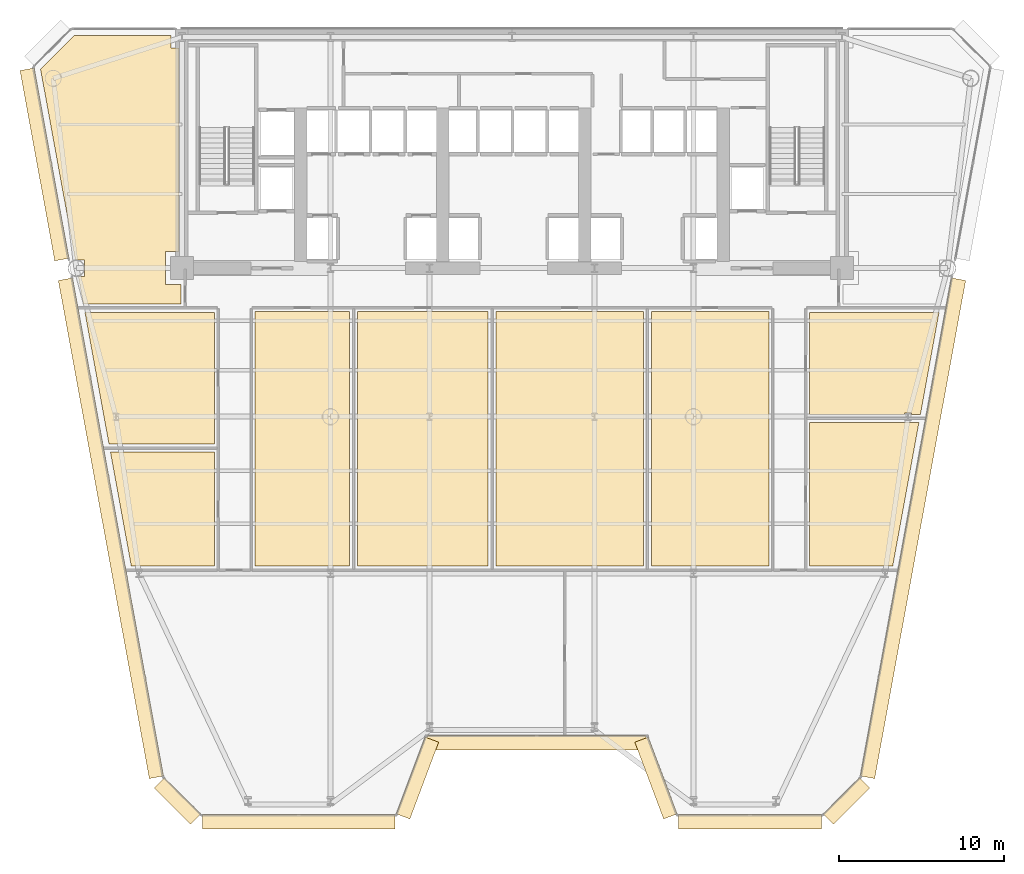
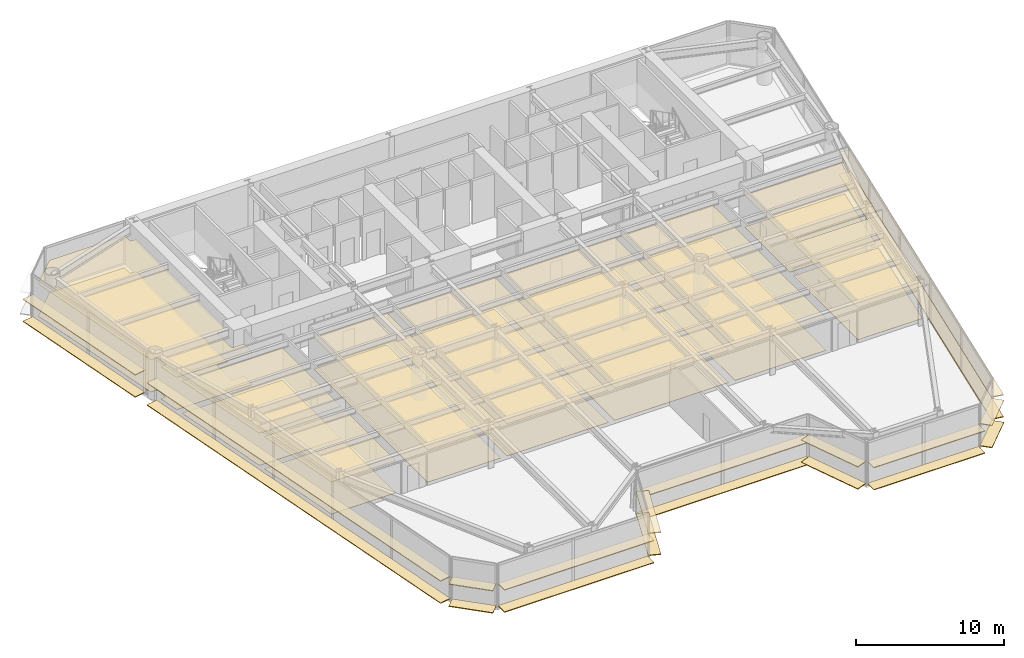
# One storey, part 11 of 14: 38 coverings.
"""IFC4 building model written with IfcOpenShell, lengths in metres."""

from ifc_helpers import new_model, si_unit, direction, frame, origin, origin_2d, place, context, subcontext, project, spatial, polyline, rectangle, outline, extrude, source, transform, mapped, material, layer, layer_set, type_object, element, save


model = new_model("IFC4")

# Units and contexts
model_context = context("Model", 3, precision=1e-05, world=origin(), true_north=direction((0.0, 1.0)))
body_context = subcontext(model_context, "Body", "Model", "MODEL_VIEW")
ifc_project = project(units=[si_unit("LENGTHUNIT", "METRE"), si_unit("AREAUNIT", "SQUARE_METRE"), si_unit("VOLUMEUNIT", "CUBIC_METRE"), si_unit("PLANEANGLEUNIT", "RADIAN"), si_unit("MASSUNIT", "GRAM", prefix="KILO")], contexts=[model_context])

# Site, building, storey
site_placement = place(None, origin())
site = spatial("IfcSite", under=ifc_project, at=site_placement, CompositionType="ELEMENT")
building_placement = place(site_placement, origin())
building = spatial("IfcBuilding", under=site, at=building_placement, Name="Vaeldorn Concourse Tower", CompositionType="ELEMENT")
storey_placement = place(building_placement, frame((0.0, 0.0, 92.0)))
storey = spatial("IfcBuildingStorey", under=building, at=storey_placement, Name="L23", CompositionType="ELEMENT", Elevation=92.0)

# Coverings
ifc_material_1 = material(Name="Acoustic Mineral Fibre Board", Category="gypsum")
ifc_layer_1 = layer(ifc_material_1, 0.0400390625)
ifc_layer_set_1 = layer_set([ifc_layer_1], Name="Acoustic Mineral Fibre Board")
covering_type_1 = type_object("IfcCoveringType", Name="COV-CEIL-ACOUSTIC", PredefinedType="CEILING", material=ifc_layer_set_1)
covering_1_placement = place(storey_placement, frame((0.0, 0.0, 2.64990234375)))
element("IfcCovering", 1, at=covering_1_placement, inside=storey, type_object=covering_type_1, Name="Suspended Acoustic Ceiling L23-3", PredefinedType="CEILING", context=body_context, shape_type="SweptSolid", body=[
    extrude(outline(polyline([(7.4658203125, 50.60009765625), (13.340087890625, 50.60009765625), (13.340087890625, 49.840087890625), (13.820068359375, 49.840087890625), (13.820068359375, 37.5), (13.0, 37.5), (13.0, 35.5), (13.93994140625, 35.5), (13.93994140625, 34.340087890625), (8.029296875, 34.340087890625), (7.7275390625, 35.991943359375), (8.10791015625, 35.991943359375), (8.10791015625, 37.008056640625), (7.5419921875, 37.008056640625), (5.43115234375, 48.5654296875), (7.4658203125, 50.60009765625)])), origin(), (0.0, 0.0, 1.0), 0.0400390625),
])
covering_2_placement = place(storey_placement, frame((0.0, 0.0, 2.64990234375)))
element("IfcCovering", 2, at=covering_2_placement, inside=storey, type_object=covering_type_1, Name="Suspended Acoustic Ceiling L23-5", PredefinedType="CEILING", context=body_context, shape_type="SweptSolid", body=[
    extrude(outline(polyline([(15.9599609375, 25.360107421875), (15.9599609375, 18.43994140625), (10.93310546875, 18.43994140625), (9.669189453125, 25.360107421875), (15.9599609375, 25.360107421875)])), origin(), (0.0, 0.0, 1.0), 0.0400390625),
])
covering_3_placement = place(storey_placement, frame((0.0, 0.0, 2.64990234375)))
element("IfcCovering", 3, at=covering_3_placement, inside=storey, type_object=covering_type_1, Name="Suspended Acoustic Ceiling L23-6", PredefinedType="CEILING", context=body_context, shape_type="SweptSolid", body=[
    extrude(outline(polyline([(15.9599609375, 33.800048828125), (15.9599609375, 25.840087890625), (9.58154296875, 25.840087890625), (8.127685546875, 33.800048828125), (15.9599609375, 33.800048828125)])), origin(), (0.0, 0.0, 1.0), 0.0400390625),
])
covering_4_placement = place(storey_placement, frame((0.0, 0.0, 2.64990234375)))
element("IfcCovering", 4, at=covering_4_placement, inside=storey, type_object=covering_type_1, Name="Suspended Acoustic Ceiling L23-7", PredefinedType="CEILING", context=body_context, shape_type="SweptSolid", body=[
    extrude(outline(polyline([(52.0400390625, 27.159912109375), (58.659423828125, 27.159912109375), (57.06689453125, 18.43994140625), (52.0400390625, 18.43994140625), (52.0400390625, 27.159912109375)])), origin(), (0.0, 0.0, 1.0), 0.0400390625),
])
covering_5_placement = place(storey_placement, frame((0.0, 0.0, 2.64990234375)))
element("IfcCovering", 5, at=covering_5_placement, inside=storey, type_object=covering_type_1, Name="Suspended Acoustic Ceiling L23-8", PredefinedType="CEILING", context=body_context, shape_type="SweptSolid", body=[
    extrude(outline(polyline([(52.0400390625, 33.800048828125), (59.872314453125, 33.800048828125), (58.747314453125, 27.639892578125), (58.2119140625, 27.639892578125), (58.2119140625, 27.737060546875), (57.7880859375, 27.737060546875), (57.7880859375, 27.639892578125), (52.0400390625, 27.639892578125), (52.0400390625, 33.800048828125)])), origin(), (0.0, 0.0, 1.0), 0.0400390625),
])
covering_6_placement = place(storey_placement, frame((0.0, 0.0, 2.64990234375)))
element("IfcCovering", 6, at=covering_6_placement, inside=storey, type_object=covering_type_1, Name="Suspended Acoustic Ceiling L23-9", PredefinedType="CEILING", context=body_context, shape_type="SweptSolid", body=[
    extrude(outline(polyline([(18.43994140625, 33.860107421875), (24.159912109375, 33.860107421875), (24.159912109375, 18.43994140625), (18.43994140625, 18.43994140625), (18.43994140625, 33.860107421875)])), origin(), (0.0, 0.0, 1.0), 0.0400390625),
])
covering_7_placement = place(storey_placement, frame((0.0, 0.0, 2.64990234375)))
element("IfcCovering", 7, at=covering_7_placement, inside=storey, type_object=covering_type_1, Name="Suspended Acoustic Ceiling L23-10", PredefinedType="CEILING", context=body_context, shape_type="SweptSolid", body=[
    extrude(outline(polyline([(24.639892578125, 33.860107421875), (32.56005859375, 33.860107421875), (32.56005859375, 18.43994140625), (24.639892578125, 18.43994140625), (24.639892578125, 33.860107421875)])), origin(), (0.0, 0.0, 1.0), 0.0400390625),
])
covering_8_placement = place(storey_placement, frame((0.0, 0.0, 2.64990234375)))
element("IfcCovering", 8, at=covering_8_placement, inside=storey, type_object=covering_type_1, Name="Suspended Acoustic Ceiling L23-11", PredefinedType="CEILING", context=body_context, shape_type="SweptSolid", body=[
    extrude(outline(polyline([(33.0400390625, 33.860107421875), (41.9599609375, 33.860107421875), (41.9599609375, 18.43994140625), (33.0400390625, 18.43994140625), (33.0400390625, 33.860107421875)])), origin(), (0.0, 0.0, 1.0), 0.0400390625),
])
covering_9_placement = place(storey_placement, frame((0.0, 0.0, 2.64990234375)))
element("IfcCovering", 9, at=covering_9_placement, inside=storey, type_object=covering_type_1, Name="Suspended Acoustic Ceiling L23-12", PredefinedType="CEILING", context=body_context, shape_type="SweptSolid", body=[
    extrude(outline(polyline([(42.43994140625, 33.860107421875), (49.56005859375, 33.860107421875), (49.56005859375, 18.43994140625), (42.43994140625, 18.43994140625), (42.43994140625, 33.860107421875)])), origin(), (0.0, 0.0, 1.0), 0.0400390625),
])
ifc_material_2 = material(Name="Honed Limestone Terrazzo Flooring", Category="masonry")
ifc_layer_2 = layer(ifc_material_2, 0.0400390625)
ifc_layer_set_2 = layer_set([ifc_layer_2], Name="Honed Limestone Terrazzo Flooring")
covering_type_2 = type_object("IfcCoveringType", Name="COV-FLOOR-STONE", PredefinedType="FLOORING", material=ifc_layer_set_2)
covering_10_placement = place(storey_placement, origin())
element("IfcCovering", 10, at=covering_10_placement, inside=storey, type_object=covering_type_2, Name="Floor Finish Covering L23-3", PredefinedType="FLOORING", context=body_context, shape_type="SweptSolid", body=[
    extrude(outline(polyline([(7.4658203125, 50.60009765625), (13.340087890625, 50.60009765625), (13.340087890625, 49.840087890625), (13.820068359375, 49.840087890625), (13.820068359375, 37.5), (13.0, 37.5), (13.0, 35.5), (13.93994140625, 35.5), (13.93994140625, 34.340087890625), (8.029296875, 34.340087890625), (7.7275390625, 35.991943359375), (8.10791015625, 35.991943359375), (8.10791015625, 37.008056640625), (7.5419921875, 37.008056640625), (5.43115234375, 48.5654296875), (7.4658203125, 50.60009765625)])), origin(), (0.0, 0.0, 1.0), 0.030029296875),
])
covering_11_placement = place(storey_placement, origin())
element("IfcCovering", 11, at=covering_11_placement, inside=storey, type_object=covering_type_2, Name="Floor Finish Covering L23-5", PredefinedType="FLOORING", context=body_context, shape_type="SweptSolid", body=[
    extrude(outline(polyline([(15.9599609375, 25.360107421875), (15.9599609375, 18.43994140625), (10.93310546875, 18.43994140625), (9.669189453125, 25.360107421875), (15.9599609375, 25.360107421875)])), origin(), (0.0, 0.0, 1.0), 0.030029296875),
])
covering_12_placement = place(storey_placement, origin())
element("IfcCovering", 12, at=covering_12_placement, inside=storey, type_object=covering_type_2, Name="Floor Finish Covering L23-6", PredefinedType="FLOORING", context=body_context, shape_type="SweptSolid", body=[
    extrude(outline(polyline([(15.9599609375, 33.800048828125), (15.9599609375, 25.840087890625), (9.58154296875, 25.840087890625), (8.127685546875, 33.800048828125), (15.9599609375, 33.800048828125)])), origin(), (0.0, 0.0, 1.0), 0.030029296875),
])
covering_13_placement = place(storey_placement, origin())
element("IfcCovering", 13, at=covering_13_placement, inside=storey, type_object=covering_type_2, Name="Floor Finish Covering L23-7", PredefinedType="FLOORING", context=body_context, shape_type="SweptSolid", body=[
    extrude(outline(polyline([(52.0400390625, 27.159912109375), (58.659423828125, 27.159912109375), (57.06689453125, 18.43994140625), (52.0400390625, 18.43994140625), (52.0400390625, 27.159912109375)])), origin(), (0.0, 0.0, 1.0), 0.030029296875),
])
covering_14_placement = place(storey_placement, origin())
element("IfcCovering", 14, at=covering_14_placement, inside=storey, type_object=covering_type_2, Name="Floor Finish Covering L23-8", PredefinedType="FLOORING", context=body_context, shape_type="SweptSolid", body=[
    extrude(outline(polyline([(52.0400390625, 33.800048828125), (59.872314453125, 33.800048828125), (58.747314453125, 27.639892578125), (58.2119140625, 27.639892578125), (58.2119140625, 27.737060546875), (57.7880859375, 27.737060546875), (57.7880859375, 27.639892578125), (52.0400390625, 27.639892578125), (52.0400390625, 33.800048828125)])), origin(), (0.0, 0.0, 1.0), 0.030029296875),
])
covering_15_placement = place(storey_placement, origin())
element("IfcCovering", 15, at=covering_15_placement, inside=storey, type_object=covering_type_2, Name="Floor Finish Covering L23-9", PredefinedType="FLOORING", context=body_context, shape_type="SweptSolid", body=[
    extrude(outline(polyline([(18.43994140625, 33.860107421875), (24.159912109375, 33.860107421875), (24.159912109375, 18.43994140625), (18.43994140625, 18.43994140625), (18.43994140625, 33.860107421875)])), origin(), (0.0, 0.0, 1.0), 0.030029296875),
])
covering_16_placement = place(storey_placement, origin())
element("IfcCovering", 16, at=covering_16_placement, inside=storey, type_object=covering_type_2, Name="Floor Finish Covering L23-10", PredefinedType="FLOORING", context=body_context, shape_type="SweptSolid", body=[
    extrude(outline(polyline([(24.639892578125, 33.860107421875), (32.56005859375, 33.860107421875), (32.56005859375, 18.43994140625), (24.639892578125, 18.43994140625), (24.639892578125, 33.860107421875)])), origin(), (0.0, 0.0, 1.0), 0.030029296875),
])
covering_17_placement = place(storey_placement, origin())
element("IfcCovering", 17, at=covering_17_placement, inside=storey, type_object=covering_type_2, Name="Floor Finish Covering L23-11", PredefinedType="FLOORING", context=body_context, shape_type="SweptSolid", body=[
    extrude(outline(polyline([(33.0400390625, 33.860107421875), (41.9599609375, 33.860107421875), (41.9599609375, 18.43994140625), (33.0400390625, 18.43994140625), (33.0400390625, 33.860107421875)])), origin(), (0.0, 0.0, 1.0), 0.030029296875),
])
covering_18_placement = place(storey_placement, origin())
element("IfcCovering", 18, at=covering_18_placement, inside=storey, type_object=covering_type_2, Name="Floor Finish Covering L23-12", PredefinedType="FLOORING", context=body_context, shape_type="SweptSolid", body=[
    extrude(outline(polyline([(42.43994140625, 33.860107421875), (49.56005859375, 33.860107421875), (49.56005859375, 18.43994140625), (42.43994140625, 18.43994140625), (42.43994140625, 33.860107421875)])), origin(), (0.0, 0.0, 1.0), 0.030029296875),
])
ifc_material_3 = material(Name="Anodised Bronze Aluminium", Category="aluminium")
ifc_layer_3 = layer(ifc_material_3, 0.06494140625)
ifc_layer_set_3 = layer_set([ifc_layer_3], Name="Anodised Bronze Aluminium")
covering_type_3 = type_object("IfcCoveringType", Name="SD-BRONZE-SUNSHADE", PredefinedType="USERDEFINED", material=ifc_layer_set_3)
shared_shape_1 = source(origin(), body_context, "Body", "SweptSolid", [
    extrude(rectangle(XDim=4.96630859375, YDim=0.8798828125, at=origin_2d()), origin(), (0.0, 0.0, 1.0), 0.06494140625),
])
for number, where, z_axis, x_axis, name in (
    (19, (28.2744140625, 5.606689453125, 0.047607421875), (0.0, 0.0, 1.0), (0.351122702609, 0.936329454686, 0.0), "Horizontal Bronze Sunshade L23-E02.1.1"),
    (20, (28.2744140625, 5.606689453125, 1.867431640625), (0.0, 0.0, 1.0), (0.351122702609, 0.936329454686, 0.0), "Horizontal Bronze Sunshade L23-E02.1.2"),
    (21, (42.7255859375, 5.606689453125, 0.047607421875), (0.0, 0.0, 1.0), (0.351122702609, -0.936329454686, 0.0), "Horizontal Bronze Sunshade L23-E04.1.1"),
    (22, (42.7255859375, 5.606689453125, 1.867431640625), (0.0, 0.0, 1.0), (0.351122702609, -0.936329454686, 0.0), "Horizontal Bronze Sunshade L23-E04.1.2"),
):
    element("IfcCovering", number, at=place(storey_placement, frame(where, z_axis=z_axis, x_axis=x_axis)), inside=storey, type_object=covering_type_3, Name=name, ObjectType="SUNSHADE", PredefinedType="USERDEFINED", context=body_context, shape_type="MappedRepresentation", body=[
        mapped(shared_shape_1, transform((0.0, 0.0, 0.0), scale=1.0)),
    ])
shared_shape_2 = source(origin(), body_context, "Body", "SweptSolid", [
    extrude(rectangle(XDim=13.239990234375, YDim=0.8798828125, at=origin_2d()), origin(), (0.0, 0.0, 1.0), 0.06494140625),
])
for number, where, z_axis, x_axis, name in (
    (23, (35.5, 7.7470703125, 0.047607421875), (0.0, 0.0, 1.0), (1.0, 0.0, 0.0), "Horizontal Bronze Sunshade L23-E03.1.1"),
    (24, (35.5, 7.7470703125, 1.867431640625), (0.0, 0.0, 1.0), (1.0, 0.0, 0.0), "Horizontal Bronze Sunshade L23-E03.1.2"),
):
    element("IfcCovering", number, at=place(storey_placement, frame(where, z_axis=z_axis, x_axis=x_axis)), inside=storey, type_object=covering_type_3, Name=name, ObjectType="SUNSHADE", PredefinedType="USERDEFINED", context=body_context, shape_type="MappedRepresentation", body=[
        mapped(shared_shape_2, transform((0.0, 0.0, 0.0), scale=1.0)),
    ])
shared_shape_3 = source(origin(), body_context, "Body", "SweptSolid", [
    extrude(rectangle(XDim=3.0927734375, YDim=0.8798828125, at=origin_2d()), origin(), (0.0, 0.0, 1.0), 0.06494140625),
])
for number, where, z_axis, x_axis, name in (
    (25, (54.27001953125, 4.21435546875, 0.047607421875), (0.0, 0.0, 1.0), (0.707106781187, 0.707106781187, 0.0), "Horizontal Bronze Sunshade L23-E06.1.1"),
    (26, (54.27001953125, 4.21435546875, 1.867431640625), (0.0, 0.0, 1.0), (0.707106781187, 0.707106781187, 0.0), "Horizontal Bronze Sunshade L23-E06.1.2"),
    (27, (13.72998046875, 4.21435546875, 0.047607421875), (0.0, 0.0, 1.0), (0.707106781187, -0.707106781187, 0.0), "Horizontal Bronze Sunshade L23-E12.1.1"),
    (28, (13.72998046875, 4.21435546875, 1.867431640625), (0.0, 0.0, 1.0), (0.707106781187, -0.707106781187, 0.0), "Horizontal Bronze Sunshade L23-E12.1.2"),
):
    element("IfcCovering", number, at=place(storey_placement, frame(where, z_axis=z_axis, x_axis=x_axis)), inside=storey, type_object=covering_type_3, Name=name, ObjectType="SUNSHADE", PredefinedType="USERDEFINED", context=body_context, shape_type="MappedRepresentation", body=[
        mapped(shared_shape_3, transform((0.0, 0.0, 0.0), scale=1.0)),
    ])
shared_shape_4 = source(origin(), body_context, "Body", "SweptSolid", [
    extrude(rectangle(XDim=11.67724609375, YDim=0.8798828125, at=origin_2d()), origin(), (0.0, 0.0, 1.0), 0.06494140625),
])
for number, where, z_axis, x_axis, name in (
    (29, (21.081298828125, 2.947021484375, 0.047607421875), (0.0, 0.0, 1.0), (1.0, 0.0, 0.0), "Horizontal Bronze Sunshade L23-E01.1.1"),
    (30, (21.081298828125, 2.947021484375, 1.867431640625), (0.0, 0.0, 1.0), (1.0, 0.0, 0.0), "Horizontal Bronze Sunshade L23-E01.1.2"),
):
    element("IfcCovering", number, at=place(storey_placement, frame(where, z_axis=z_axis, x_axis=x_axis)), inside=storey, type_object=covering_type_3, Name=name, ObjectType="SUNSHADE", PredefinedType="USERDEFINED", context=body_context, shape_type="MappedRepresentation", body=[
        mapped(shared_shape_4, transform((0.0, 0.0, 0.0), scale=1.0)),
    ])
shared_shape_5 = source(origin(), body_context, "Body", "SweptSolid", [
    extrude(rectangle(XDim=8.67724609375, YDim=0.8798828125, at=origin_2d()), origin(), (0.0, 0.0, 1.0), 0.06494140625),
])
for number, where, z_axis, x_axis, name in (
    (31, (48.418701171875, 2.947021484375, 0.047607421875), (0.0, 0.0, 1.0), (1.0, 0.0, 0.0), "Horizontal Bronze Sunshade L23-E05.1.1"),
    (32, (48.418701171875, 2.947021484375, 1.867431640625), (0.0, 0.0, 1.0), (1.0, 0.0, 0.0), "Horizontal Bronze Sunshade L23-E05.1.2"),
):
    element("IfcCovering", number, at=place(storey_placement, frame(where, z_axis=z_axis, x_axis=x_axis)), inside=storey, type_object=covering_type_3, Name=name, ObjectType="SUNSHADE", PredefinedType="USERDEFINED", context=body_context, shape_type="MappedRepresentation", body=[
        mapped(shared_shape_5, transform((0.0, 0.0, 0.0), scale=1.0)),
    ])
shared_shape_6 = source(origin(), body_context, "Body", "SweptSolid", [
    extrude(rectangle(XDim=30.676513671875, YDim=0.8798828125, at=origin_2d()), origin(), (0.0, 0.0, 1.0), 0.06494140625),
])
for number, where, z_axis, x_axis, name in (
    (33, (58.30078125, 20.74267578125, 0.047607421875), (0.0, 0.0, 1.0), (0.179660748593, 0.98372862895, 0.0), "Horizontal Bronze Sunshade L23-E07.1.1"),
    (34, (58.30078125, 20.74267578125, 1.867431640625), (0.0, 0.0, 1.0), (0.179660748593, 0.98372862895, 0.0), "Horizontal Bronze Sunshade L23-E07.1.2"),
    (35, (9.69921875, 20.74267578125, 0.047607421875), (0.0, 0.0, 1.0), (0.179660748593, -0.98372862895, 0.0), "Horizontal Bronze Sunshade L23-E11.2.1"),
    (36, (9.69921875, 20.74267578125, 1.867431640625), (0.0, 0.0, 1.0), (0.179660748593, -0.98372862895, 0.0), "Horizontal Bronze Sunshade L23-E11.2.2"),
):
    element("IfcCovering", number, at=place(storey_placement, frame(where, z_axis=z_axis, x_axis=x_axis)), inside=storey, type_object=covering_type_3, Name=name, ObjectType="SUNSHADE", PredefinedType="USERDEFINED", context=body_context, shape_type="MappedRepresentation", body=[
        mapped(shared_shape_6, transform((0.0, 0.0, 0.0), scale=1.0)),
    ])
shared_shape_7 = source(origin(), body_context, "Body", "SweptSolid", [
    extrude(rectangle(XDim=11.715087890625, YDim=0.8798828125, at=origin_2d()), origin(), (0.0, 0.0, 1.0), 0.06494140625),
])
for number, where, z_axis, x_axis, name in (
    (37, (5.67333984375, 42.787109375, 0.047607421875), (0.0, 0.0, 1.0), (0.179660748593, -0.98372862895, 0.0), "Horizontal Bronze Sunshade L23-E11.1.1"),
    (38, (5.67333984375, 42.787109375, 1.867431640625), (0.0, 0.0, 1.0), (0.179660748593, -0.98372862895, 0.0), "Horizontal Bronze Sunshade L23-E11.1.2"),
):
    element("IfcCovering", number, at=place(storey_placement, frame(where, z_axis=z_axis, x_axis=x_axis)), inside=storey, type_object=covering_type_3, Name=name, ObjectType="SUNSHADE", PredefinedType="USERDEFINED", context=body_context, shape_type="MappedRepresentation", body=[
        mapped(shared_shape_7, transform((0.0, 0.0, 0.0), scale=1.0)),
    ])

save(model, "model.ifc")
